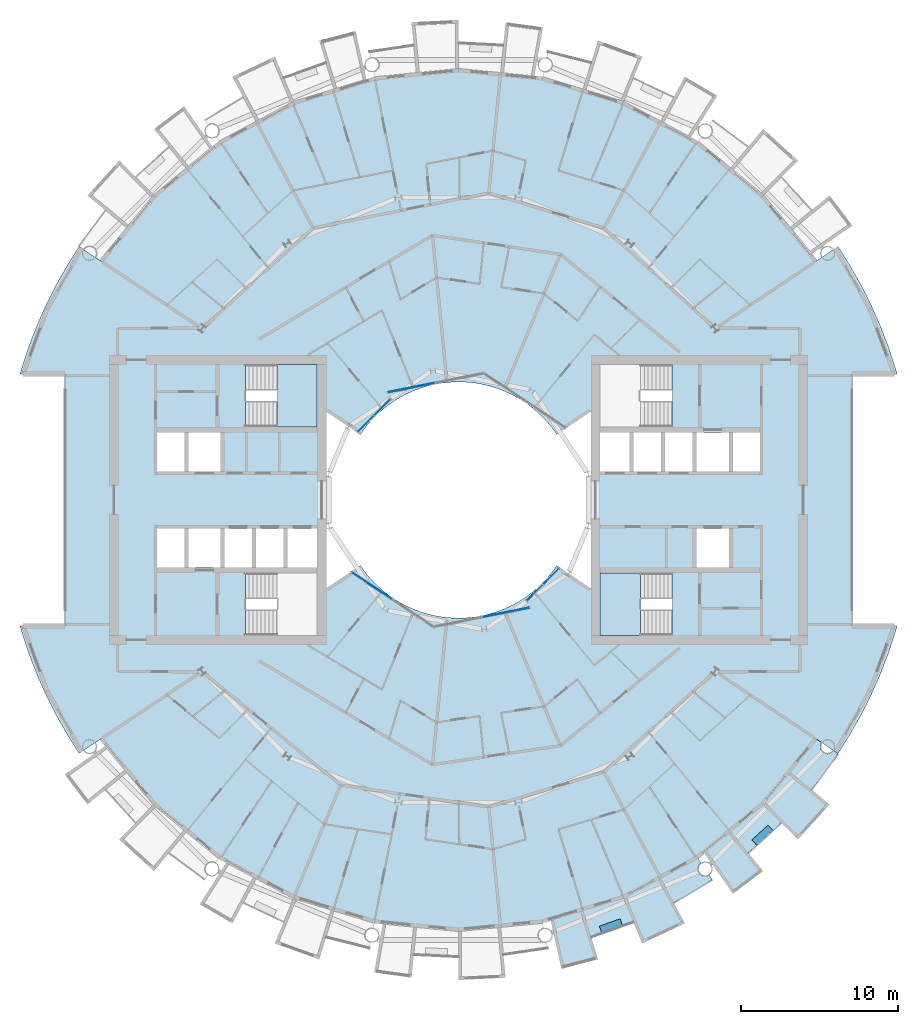
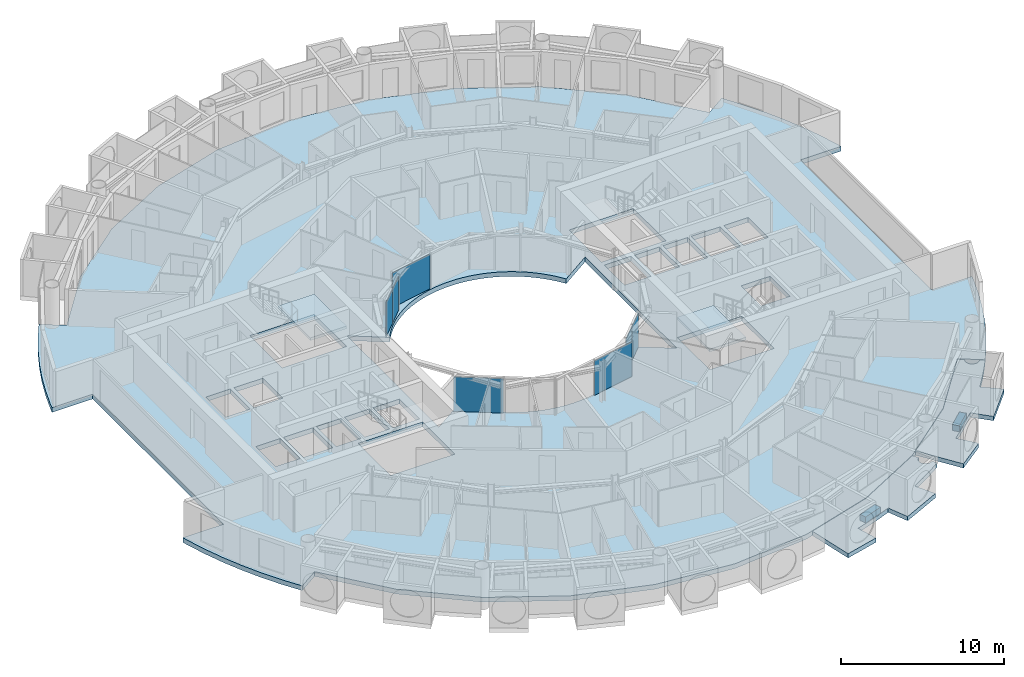
# One storey, part 11 of 28: 7 plates, 7 slabs, 7 elements without a shape of their own.
"""IFC4 building model written with IfcOpenShell, lengths in metres."""

import ifcopenshell
import ifcopenshell.guid

model = None  # the IFC model being written
_history = None  # IfcOwnerHistory: only IFC2X3 demands one
_inside = {}  # id of a spatial element -> (the spatial element, [elements in it])
_under = {}  # id of a project, library or spatial element -> (it, [spatial elements below it])
_declared = {}  # id of a project -> (the project, [libraries it declares])
_typed = {}  # id of a type object -> (the type object, [elements of that type])
_made_of = {}  # id of a material, layer set ... -> (it, [elements and type objects made of it])


def new_model(schema):
    """Start an empty IFC model of exactly this schema.

    Asked for "IFC4X3", IfcOpenShell would pick the latest addendum, in which some entities
    have other attributes; the version numbers below select the first issue.
    IFC2X3 requires an IfcOwnerHistory on every rooted entity: one is made here for all.
    """
    global model, _history
    if schema == "IFC4X3":
        model = ifcopenshell.file(schema_version=(4, 3, 0, 0))
    else:
        model = ifcopenshell.file(schema=schema)
    _inside.clear()
    _under.clear()
    _declared.clear()
    _typed.clear()
    _made_of.clear()
    _history = None
    if model.schema == "IFC2X3":
        org = make("IfcOrganization", Name="unknown")
        user = make(
            "IfcPersonAndOrganization",
            ThePerson=make("IfcPerson", FamilyName="unknown"),
            TheOrganization=org,
        )
        app = make(
            "IfcApplication",
            ApplicationDeveloper=org,
            Version="unknown",
            ApplicationFullName="unknown",
            ApplicationIdentifier="unknown",
        )
        _history = make(
            "IfcOwnerHistory",
            OwningUser=user,
            OwningApplication=app,
            ChangeAction="ADDED",
            CreationDate=0,
        )
    return model


def make(cls, **values):
    """One entity of the class cls with the attributes given. An attribute that is None is left unset."""
    return model.create_entity(
        cls, **{name: value for name, value in values.items() if value is not None}
    )


def rooted(cls, **values):
    """An entity with a GlobalId (a new one), such as an element, a storey or a relation."""
    return make(cls, GlobalId=ifcopenshell.guid.new(), OwnerHistory=_history, **values)


def si_unit(unit_type, name, prefix=None):
    """IfcSIUnit, for example si_unit("LENGTHUNIT", "METRE", prefix="MILLI")."""
    return make("IfcSIUnit", UnitType=unit_type, Prefix=prefix, Name=name)


def assignment(units):
    """IfcUnitAssignment: the units of a project."""
    return None if units is None else make("IfcUnitAssignment", Units=units)


def point(xyz):
    """IfcCartesianPoint."""
    return None if xyz is None else make("IfcCartesianPoint", Coordinates=xyz)


def direction(xyz):
    """IfcDirection."""
    return None if xyz is None else make("IfcDirection", DirectionRatios=xyz)


def frame(location, z_axis=None, x_axis=None):
    """IfcAxis2Placement3D, a coordinate frame: its origin and axes. An axis left out is left unset."""
    return make(
        "IfcAxis2Placement3D",
        Location=point(location),
        Axis=direction(z_axis),
        RefDirection=direction(x_axis),
    )


def frame_2d(location, x_axis=None):
    """IfcAxis2Placement2D, a coordinate frame in the plane: its origin and x axis."""
    return make(
        "IfcAxis2Placement2D", Location=point(location), RefDirection=direction(x_axis)
    )


def origin():
    """The frame at (0, 0, 0) with its axes left unset."""
    return frame((0.0, 0.0, 0.0))


def origin_2d():
    """The frame at (0, 0) in the plane with its x axis left unset."""
    return frame_2d((0.0, 0.0))


def place(relative_to, where):
    """IfcLocalPlacement: puts the frame where relative to a parent placement (None: the world)."""
    return make(
        "IfcLocalPlacement", PlacementRelTo=relative_to, RelativePlacement=where
    )


def context(
    kind, dimensions, precision=None, world=None, true_north=None, identifier=None
):
    """IfcGeometricRepresentationContext, for example the 3D "Model" context."""
    return make(
        "IfcGeometricRepresentationContext",
        ContextIdentifier=identifier,
        ContextType=kind,
        CoordinateSpaceDimension=dimensions,
        Precision=precision,
        WorldCoordinateSystem=world,
        TrueNorth=true_north,
    )


def subcontext(parent, identifier, kind, view, scale=None):
    """IfcGeometricRepresentationSubContext, for example "Body" below "Model"."""
    return make(
        "IfcGeometricRepresentationSubContext",
        ContextIdentifier=identifier,
        ContextType=kind,
        ParentContext=parent,
        TargetScale=scale,
        TargetView=view,
    )


def project(units=None, contexts=None):
    """IfcProject with its units and contexts."""
    return rooted(
        "IfcProject",
        Name="project",
        RepresentationContexts=contexts,
        UnitsInContext=assignment(units),
    )


def spatial(cls, under=None, at=None, **own):
    """A site, building, storey or space (cls), placed at a placement, below another one or the project."""
    s = rooted(cls, ObjectPlacement=at, **own)
    if under is not None:
        _under.setdefault(under.id(), (under, []))[1].append(s)
    return s


def polyline(points):
    """IfcPolyline through the points."""
    return make("IfcPolyline", Points=[point(p) for p in points])


def profile(cls, at=None, kind="AREA", **sizes):
    """A parametric profile (cls). Its sizes go by their IFC names, for example OverallWidth=200.0."""
    return make(cls, ProfileType=kind, Position=at, **sizes)


def rectangle(**sizes):
    """IfcRectangleProfileDef."""
    return profile("IfcRectangleProfileDef", **sizes)


def outline(outer, holes=None, kind="AREA"):
    """IfcArbitraryClosedProfileDef: a profile drawn as a closed curve; with holes, ...WithVoids."""
    if holes is None:
        return make("IfcArbitraryClosedProfileDef", ProfileType=kind, OuterCurve=outer)
    return make(
        "IfcArbitraryProfileDefWithVoids",
        ProfileType=kind,
        OuterCurve=outer,
        InnerCurves=holes,
    )


def extrude(swept, where, along, depth):
    """IfcExtrudedAreaSolid: the profile swept, set in the frame where, extruded along a direction by depth."""
    return make(
        "IfcExtrudedAreaSolid",
        SweptArea=swept,
        Position=where,
        ExtrudedDirection=direction(along),
        Depth=depth,
    )


def shape(context_of_items, identifier, shape_type, items):
    """IfcShapeRepresentation: the items that make up one representation, for example the "Body"."""
    return make(
        "IfcShapeRepresentation",
        ContextOfItems=context_of_items,
        RepresentationIdentifier=identifier,
        RepresentationType=shape_type,
        Items=items,
    )


def material(Name=None, Category=None):
    """IfcMaterial."""
    return make("IfcMaterial", Name=Name, Category=Category)


def layer(
    of_material, thickness, ventilated=None, Name=None, Category=None, Priority=None
):
    """IfcMaterialLayer: one layer of a wall or slab, of a material (None: an air gap)."""
    return make(
        "IfcMaterialLayer",
        Material=of_material,
        LayerThickness=thickness,
        IsVentilated=ventilated,
        Name=Name,
        Category=Category,
        Priority=Priority,
    )


def layer_set(layers, Name=None):
    """IfcMaterialLayerSet."""
    return make("IfcMaterialLayerSet", MaterialLayers=layers, LayerSetName=Name)


def made_of(thing, what):
    """Note that an element or type object is made of a material, layer set ...; save() writes the relation."""
    if what is not None:
        _made_of.setdefault(what.id(), (what, []))[1].append(thing)
    return thing


def type_object(cls, material=None, **own):
    """A type object (cls), such as IfcWallType, which elements share."""
    return made_of(rooted(cls, **own), material)


def element(
    cls,
    number,
    at=None,
    inside=None,
    cuts=None,
    type_object=None,
    material=None,
    context=None,
    identifier="Body",
    shape_type=None,
    held_by="IfcProductDefinitionShape",
    body=None,
    shapes=None,
    **own,
):
    """One element of the class cls, such as IfcWall. Its Tag is "e" and its number.

    at: its placement. inside: the storey or other place that contains it. cuts: it is an
    opening in that element (IfcRelVoidsElement). A single representation is given by context,
    identifier, shape_type and body (its items); several are given by shapes. held_by: the class
    of the entity that holds the representations. save() writes the other relations.
    """
    e = rooted(cls, Tag="e%d" % number, ObjectPlacement=at, **own)
    if body is not None:
        shapes = [shape(context, identifier, shape_type, body)]
    if shapes is not None:
        e.Representation = make(held_by, Representations=shapes)
    if inside is not None:
        _inside.setdefault(inside.id(), (inside, []))[1].append(e)
    if cuts is not None:
        rooted(
            "IfcRelVoidsElement", RelatingBuildingElement=cuts, RelatedOpeningElement=e
        )
    if type_object is not None:
        _typed.setdefault(type_object.id(), (type_object, []))[1].append(e)
    return made_of(e, material)


def aggregate(whole, parts):
    """IfcRelAggregates: a whole, such as a stair, and the parts it consists of."""
    return rooted("IfcRelAggregates", RelatingObject=whole, RelatedObjects=parts)


def save(model, path):
    """Write the relations noted so far, then the file.

    IfcRelAggregates (storeys below a building ...), IfcRelContainedInSpatialStructure (elements
    in a storey), IfcRelDefinesByType, IfcRelAssociatesMaterial and IfcRelDeclares: one each for
    every whole, place, type object, material and project.
    """
    for whole, parts in _under.values():
        aggregate(whole, parts)
    for where, things in _inside.values():
        rooted(
            "IfcRelContainedInSpatialStructure",
            RelatedElements=things,
            RelatingStructure=where,
        )
    for kind, things in _typed.values():
        rooted("IfcRelDefinesByType", RelatedObjects=things, RelatingType=kind)
    for what, things in _made_of.values():
        rooted("IfcRelAssociatesMaterial", RelatedObjects=things, RelatingMaterial=what)
    for by, libraries in _declared.values():
        rooted("IfcRelDeclares", RelatingContext=by, RelatedDefinitions=libraries)
    model.write(path)


model = new_model("IFC4")

# Units and contexts
model_context = context("Model", 3, precision=1e-05, world=origin(), true_north=direction((0.0, 1.0)))
body_context = subcontext(model_context, "Body", "Model", "MODEL_VIEW")
ifc_project = project(units=[si_unit("LENGTHUNIT", "METRE"), si_unit("AREAUNIT", "SQUARE_METRE"), si_unit("VOLUMEUNIT", "CUBIC_METRE"), si_unit("PLANEANGLEUNIT", "RADIAN"), si_unit("MASSUNIT", "GRAM", prefix="KILO")], contexts=[model_context])

# Site, building, storey
site_placement = place(None, origin())
site = spatial("IfcSite", under=ifc_project, at=site_placement, CompositionType="ELEMENT")
building_placement = place(site_placement, origin())
building = spatial("IfcBuilding", under=site, at=building_placement, Name="Maasbend Ring Residences", CompositionType="ELEMENT")
storey_placement = place(building_placement, frame((0.0, 0.0, 133.0)))
storey = spatial("IfcBuildingStorey", under=building, at=storey_placement, Name="L38", CompositionType="ELEMENT", Elevation=133.0)

# Stair, slab
ifc_material_1 = material(Name="Concrete C40/50", Category="concrete")
stair_type = type_object("IfcStairType", Name="CORE STAIR 18 RISERS", PredefinedType="HALF_TURN_STAIR", material=ifc_material_1)
stair_1_placement = place(storey_placement, origin())
stair_1 = element("IfcStair", 1, at=stair_1_placement, inside=storey, type_object=stair_type, Name="L38 Exit stair ST-E2", PredefinedType="HALF_TURN_STAIR")
ifc_material_2 = material(Name="Concrete C40/50", Category="concrete")
ifc_layer_1 = layer(ifc_material_2, 0.199951171875)
ifc_layer_set_1 = layer_set([ifc_layer_1], Name="Concrete C40/50")
slab_type_1 = type_object("IfcSlabType", Name="CORE STAIR LANDING 200", PredefinedType="LANDING", material=ifc_layer_set_1)
slab_1_placement = place(storey_placement, frame((0.0, 0.0, 1.324951171875)))
slab_1 = element("IfcSlab", 2, at=slab_1_placement, type_object=slab_type_1, Name="ST-E2 landing 1", PredefinedType="LANDING", context=body_context, shape_type="SweptSolid", body=[
    extrude(outline(polyline([(11.550048828125, -4.64990234375), (9.0, -4.64990234375), (9.0, -8.60009765625), (11.550048828125, -8.60009765625), (11.550048828125, -4.64990234375)])), origin(), (0.0, 0.0, 1.0), 0.199951171875),
])
aggregate(stair_1, [slab_1])

stair_2_placement = place(storey_placement, origin())
stair_2 = element("IfcStair", 3, at=stair_2_placement, inside=storey, type_object=stair_type, Name="L38 Exit stair ST-W2", PredefinedType="HALF_TURN_STAIR")
slab_2_placement = place(storey_placement, frame((0.0, 0.0, 1.324951171875)))
slab_2 = element("IfcSlab", 4, at=slab_2_placement, type_object=slab_type_1, Name="ST-W2 landing 1", PredefinedType="LANDING", context=body_context, shape_type="SweptSolid", body=[
    extrude(outline(polyline([(-11.550048828125, 4.64990234375), (-9.0, 4.64990234375), (-9.0, 8.60009765625), (-11.550048828125, 8.60009765625), (-11.550048828125, 4.64990234375)])), origin(), (0.0, 0.0, 1.0), 0.199951171875),
])
aggregate(stair_2, [slab_2])

# Curtain wall, plate
ifc_material_3 = material(Name="Aluminium and clear glass", Category="aluminium")
ifc_layer_2 = layer(ifc_material_3, 0.179931640625)
ifc_layer_set_2 = layer_set([ifc_layer_2], Name="CW-W")
curtain_wall_type = type_object("IfcCurtainWallType", Name="CW-W", PredefinedType="NOTDEFINED", material=ifc_layer_set_2)
curtain_wall_1_placement = place(storey_placement, origin())
curtain_wall_1 = element("IfcCurtainWall", 5, at=curtain_wall_1_placement, inside=storey, type_object=curtain_wall_type, Name="Well curtain wall N2", PredefinedType="NOTDEFINED")
ifc_material_4 = material(Name="Glass clear laminated", Category="glass")
ifc_layer_3 = layer(ifc_material_4, 0.031982421875)
ifc_layer_set_3 = layer_set([ifc_layer_3], Name="CWP-W")
plate_type = type_object("IfcPlateType", Name="CWP-W", PredefinedType="CURTAIN_PANEL", material=ifc_layer_set_3)
plate_1_placement = place(storey_placement, frame((-3.0078125, 7.140380859375, 0.0), z_axis=(0.0, 0.0, 1.0), x_axis=(-0.980785280403, -0.195090322016, 0.0)))
plate_1 = element("IfcPlate", 6, at=plate_1_placement, type_object=plate_type, Name="Glass panel well face", PredefinedType="CURTAIN_PANEL", context=body_context, shape_type="SweptSolid", body=[
    extrude(rectangle(XDim=3.053955078125, YDim=0.031982421875, at=origin_2d()), origin(), (0.0, 0.0, 1.0), 2.580078125),
])
aggregate(curtain_wall_1, [plate_1])

# Curtain wall, plates
curtain_wall_2_placement = place(storey_placement, origin())
curtain_wall_2 = element("IfcCurtainWall", 7, at=curtain_wall_2_placement, inside=storey, type_object=curtain_wall_type, Name="Well curtain wall N3", PredefinedType="NOTDEFINED")
plate_2_placement = place(storey_placement, frame((-4.84375, 5.89013671875, 0.0), z_axis=(0.0, 0.0, 1.0), x_axis=(-0.707106781187, -0.707106781187, 0.0)))
plate_2 = element("IfcPlate", 8, at=plate_2_placement, type_object=plate_type, Name="Glass panel well face", PredefinedType="CURTAIN_PANEL", context=body_context, shape_type="SweptSolid", body=[
    extrude(rectangle(XDim=1.419677734375, YDim=0.031982421875, at=origin_2d()), origin(), (0.0, 0.0, 1.0), 2.580078125),
])
plate_3_placement = place(storey_placement, frame((-5.89013671875, 4.84375, 0.0), z_axis=(0.0, 0.0, 1.0), x_axis=(-0.707106781187, -0.707106781187, 0.0)))
plate_3 = element("IfcPlate", 9, at=plate_3_placement, type_object=plate_type, Name="Glass panel well face", PredefinedType="CURTAIN_PANEL", context=body_context, shape_type="SweptSolid", body=[
    extrude(rectangle(XDim=1.419677734375, YDim=0.031982421875, at=origin_2d()), origin(), (0.0, 0.0, 1.0), 2.580078125),
])
aggregate(curtain_wall_2, [plate_2, plate_3])

# Curtain wall, plate
curtain_wall_3_placement = place(storey_placement, origin())
curtain_wall_3 = element("IfcCurtainWall", 10, at=curtain_wall_3_placement, inside=storey, type_object=curtain_wall_type, Name="Well curtain wall S1", PredefinedType="NOTDEFINED")
plate_4_placement = place(storey_placement, frame((-5.51123046875, -5.44580078125, 0.0), z_axis=(0.0, 0.0, 1.0), x_axis=(0.831469612303, -0.55557023302, 0.0)))
plate_4 = element("IfcPlate", 11, at=plate_4_placement, type_object=plate_type, Name="Glass panel well face", PredefinedType="CURTAIN_PANEL", context=body_context, shape_type="SweptSolid", body=[
    extrude(rectangle(XDim=3.053955078125, YDim=0.031982421875, at=origin_2d()), origin(), (0.0, 0.0, 1.0), 2.580078125),
])
aggregate(curtain_wall_3, [plate_4])

curtain_wall_4_placement = place(storey_placement, origin())
curtain_wall_4 = element("IfcCurtainWall", 12, at=curtain_wall_4_placement, inside=storey, type_object=curtain_wall_type, Name="Well curtain wall S2", PredefinedType="NOTDEFINED")
plate_5_placement = place(storey_placement, frame((3.0078125, -7.140380859375, 0.0), z_axis=(0.0, 0.0, 1.0), x_axis=(0.980785280403, 0.195090322016, 0.0)))
plate_5 = element("IfcPlate", 13, at=plate_5_placement, type_object=plate_type, Name="Glass panel well face", PredefinedType="CURTAIN_PANEL", context=body_context, shape_type="SweptSolid", body=[
    extrude(rectangle(XDim=3.053955078125, YDim=0.031982421875, at=origin_2d()), origin(), (0.0, 0.0, 1.0), 2.580078125),
])
aggregate(curtain_wall_4, [plate_5])

# Curtain wall, plates
curtain_wall_5_placement = place(storey_placement, origin())
curtain_wall_5 = element("IfcCurtainWall", 14, at=curtain_wall_5_placement, inside=storey, type_object=curtain_wall_type, Name="Well curtain wall S3", PredefinedType="NOTDEFINED")
plate_6_placement = place(storey_placement, frame((4.84375, -5.89013671875, 0.0), z_axis=(0.0, 0.0, 1.0), x_axis=(0.707106781187, 0.707106781187, 0.0)))
plate_6 = element("IfcPlate", 15, at=plate_6_placement, type_object=plate_type, Name="Glass panel well face", PredefinedType="CURTAIN_PANEL", context=body_context, shape_type="SweptSolid", body=[
    extrude(rectangle(XDim=1.419677734375, YDim=0.031982421875, at=origin_2d()), origin(), (0.0, 0.0, 1.0), 2.580078125),
])
plate_7_placement = place(storey_placement, frame((5.89013671875, -4.84375, 0.0), z_axis=(0.0, 0.0, 1.0), x_axis=(0.707106781187, 0.707106781187, 0.0)))
plate_7 = element("IfcPlate", 16, at=plate_7_placement, type_object=plate_type, Name="Glass panel well face", PredefinedType="CURTAIN_PANEL", context=body_context, shape_type="SweptSolid", body=[
    extrude(rectangle(XDim=1.419677734375, YDim=0.031982421875, at=origin_2d()), origin(), (0.0, 0.0, 1.0), 2.580078125),
])
aggregate(curtain_wall_5, [plate_6, plate_7])

# Slabs
ifc_material_5 = material(Name="Planting with climbing greenery")
ifc_layer_4 = layer(ifc_material_5, 0.449951171875)
ifc_layer_set_4 = layer_set([ifc_layer_4], Name="PLANTER-LG")
slab_type_2 = type_object("IfcSlabType", Name="PLANTER-LG", PredefinedType="USERDEFINED", material=ifc_layer_set_4)
slab_3_placement = place(storey_placement, frame((0.0, 0.0, -0.030029296875)))
element("IfcSlab", 17, at=slab_3_placement, inside=storey, type_object=slab_type_2, Name="Planter with climbing greenery 4", ObjectType="PLANTER", PredefinedType="USERDEFINED", context=body_context, shape_type="SweptSolid", body=[
    extrude(outline(polyline([(9.09912109375, -27.508056640625), (10.4169921875, -27.035888671875), (10.26611328125, -26.612060546875), (8.947021484375, -27.083984375), (9.09912109375, -27.508056640625)])), origin(), (0.0, 0.0, 1.0), 0.449951171875),
])
slab_4_placement = place(storey_placement, frame((0.0, 0.0, -0.030029296875)))
element("IfcSlab", 18, at=slab_4_placement, inside=storey, type_object=slab_type_2, Name="Planter with climbing greenery 5", ObjectType="PLANTER", PredefinedType="USERDEFINED", context=body_context, shape_type="SweptSolid", body=[
    extrude(outline(polyline([(18.93310546875, -21.931884765625), (19.969970703125, -20.991943359375), (19.66796875, -20.657958984375), (18.631103515625, -21.597900390625), (18.93310546875, -21.931884765625)])), origin(), (0.0, 0.0, 1.0), 0.449951171875),
])
ifc_material_6 = material(Name="Concrete C40/50", Category="concrete")
ifc_layer_5 = layer(ifc_material_6, 0.35009765625)
ifc_layer_set_5 = layer_set([ifc_layer_5], Name="Concrete C40/50")
slab_type_3 = type_object("IfcSlabType", Name="Post-tensioned flat plate 350", PredefinedType="FLOOR", material=ifc_layer_set_5)
slab_5_placement = place(storey_placement, frame((0.0, 0.0, -0.35009765625)))
element("IfcSlab", 19, at=slab_5_placement, inside=storey, type_object=slab_type_3, Name="Floor slab L38", PredefinedType="FLOOR", context=body_context, shape_type="SweptSolid", body=[
    extrude(outline(polyline([(24.8740234375, -14.908935546875), (25.57568359375, -13.67041015625), (26.2158203125, -12.399169921875), (26.79248046875, -11.097900390625), (27.3046875, -9.769775390625), (27.751220703125, -8.418212890625), (27.866943359375, -8.0), (25.0, -8.0), (25.0, 8.0), (27.866943359375, 8.0), (27.751220703125, 8.418212890625), (27.3046875, 9.769775390625), (26.79248046875, 11.097900390625), (26.2158203125, 12.399169921875), (25.57568359375, 13.67041015625), (24.8740234375, 14.908935546875), (24.112548828125, 16.111572265625), (22.69921875, 15.1669921875), (19.303955078125, 19.303955078125), (15.1669921875, 22.69921875), (10.447265625, 25.221923828125), (5.325927734375, 26.775390625), (0.0, 27.300048828125), (-5.325927734375, 26.775390625), (-10.447265625, 25.221923828125), (-15.1669921875, 22.69921875), (-19.303955078125, 19.303955078125), (-22.69921875, 15.1669921875), (-24.112548828125, 16.111572265625), (-24.8740234375, 14.908935546875), (-25.57568359375, 13.67041015625), (-26.2158203125, 12.399169921875), (-26.79248046875, 11.097900390625), (-27.3046875, 9.769775390625), (-27.751220703125, 8.418212890625), (-27.866943359375, 8.0), (-25.0, 8.0), (-25.0, -8.0), (-27.866943359375, -8.0), (-27.751220703125, -8.418212890625), (-27.3046875, -9.769775390625), (-26.79248046875, -11.097900390625), (-26.2158203125, -12.399169921875), (-25.57568359375, -13.67041015625), (-24.8740234375, -14.908935546875), (-24.112548828125, -16.111572265625), (-22.69921875, -15.1669921875), (-19.303955078125, -19.303955078125), (-15.1669921875, -22.69921875), (-10.447265625, -25.221923828125), (-5.325927734375, -26.775390625), (0.0, -27.300048828125), (5.325927734375, -26.775390625), (10.447265625, -25.221923828125), (15.1669921875, -22.69921875), (19.303955078125, -19.303955078125), (22.69921875, -15.1669921875), (24.112548828125, -16.111572265625), (24.8740234375, -14.908935546875)]), holes=[polyline([(17.425048828125, 4.27490234375), (19.14990234375, 4.27490234375), (19.14990234375, 1.824951171875), (17.425048828125, 1.824951171875), (17.425048828125, 4.27490234375)]), polyline([(15.125, 1.824951171875), (15.125, 4.27490234375), (17.175048828125, 4.27490234375), (17.175048828125, 1.824951171875), (15.125, 1.824951171875)]), polyline([(15.125, -4.27490234375), (15.125, -1.824951171875), (17.175048828125, -1.824951171875), (17.175048828125, -4.27490234375), (15.125, -4.27490234375)]), polyline([(13.125, 1.824951171875), (13.125, 4.27490234375), (14.875, 4.27490234375), (14.875, 1.824951171875), (13.125, 1.824951171875)]), polyline([(13.550048828125, 4.64990234375), (9.0, 4.64990234375), (9.0, 8.60009765625), (13.550048828125, 8.60009765625), (13.550048828125, 4.64990234375)]), polyline([(13.550048828125, -4.64990234375), (13.550048828125, -8.60009765625), (9.0, -8.60009765625), (9.0, -4.64990234375), (13.550048828125, -4.64990234375)]), polyline([(11.125, 1.824951171875), (11.125, 4.27490234375), (12.875, 4.27490234375), (12.875, 1.824951171875), (11.125, 1.824951171875)]), polyline([(9.0, 1.824951171875), (9.0, 4.27490234375), (10.875, 4.27490234375), (10.875, 1.824951171875), (9.0, 1.824951171875)]), polyline([(6.024169921875, 4.4677734375), (6.236083984375, 4.166748046875), (8.39990234375, 5.61279296875), (8.39990234375, -5.61279296875), (6.236083984375, -4.166748046875), (6.024169921875, -4.4677734375), (5.797607421875, -4.7578125), (5.55712890625, -5.03662109375), (5.30322265625, -5.30322265625), (5.03662109375, -5.55712890625), (4.7578125, -5.797607421875), (4.4677734375, -6.024169921875), (4.166748046875, -6.236083984375), (3.855712890625, -6.43310546875), (3.535400390625, -6.614501953125), (3.206787109375, -6.77978515625), (2.8701171875, -6.92919921875), (2.526611328125, -7.0615234375), (2.177001953125, -7.177001953125), (1.822509765625, -7.275146484375), (1.463134765625, -7.35595703125), (1.1005859375, -7.418701171875), (0.735107421875, -7.4638671875), (0.367919921875, -7.490966796875), (0.0, -7.5), (-0.367919921875, -7.490966796875), (-0.735107421875, -7.4638671875), (-1.1005859375, -7.418701171875), (-1.463134765625, -7.35595703125), (-1.822509765625, -7.275146484375), (-2.177001953125, -7.177001953125), (-2.526611328125, -7.0615234375), (-2.8701171875, -6.92919921875), (-3.206787109375, -6.77978515625), (-3.535400390625, -6.614501953125), (-3.855712890625, -6.43310546875), (-4.166748046875, -6.236083984375), (-4.4677734375, -6.024169921875), (-4.7578125, -5.797607421875), (-5.03662109375, -5.55712890625), (-5.30322265625, -5.30322265625), (-5.55712890625, -5.03662109375), (-5.797607421875, -4.7578125), (-6.024169921875, -4.4677734375), (-6.236083984375, -4.166748046875), (-8.39990234375, -5.61279296875), (-8.39990234375, 5.61279296875), (-6.236083984375, 4.166748046875), (-6.236083984375, 4.166748046875), (-6.024169921875, 4.4677734375), (-5.797607421875, 4.7578125), (-5.55712890625, 5.03662109375), (-5.30322265625, 5.30322265625), (-5.03662109375, 5.55712890625), (-4.7578125, 5.797607421875), (-4.4677734375, 6.024169921875), (-4.166748046875, 6.236083984375), (-3.855712890625, 6.43310546875), (-3.535400390625, 6.614501953125), (-3.206787109375, 6.77978515625), (-2.8701171875, 6.92919921875), (-2.526611328125, 7.0615234375), (-2.177001953125, 7.177001953125), (-1.822509765625, 7.275146484375), (-1.463134765625, 7.35595703125), (-1.1005859375, 7.418701171875), (-0.735107421875, 7.4638671875), (-0.367919921875, 7.490966796875), (0.0, 7.5), (0.367919921875, 7.490966796875), (0.735107421875, 7.4638671875), (1.1005859375, 7.418701171875), (1.463134765625, 7.35595703125), (1.822509765625, 7.275146484375), (2.177001953125, 7.177001953125), (2.526611328125, 7.0615234375), (2.8701171875, 6.92919921875), (3.206787109375, 6.77978515625), (3.535400390625, 6.614501953125), (3.855712890625, 6.43310546875), (4.166748046875, 6.236083984375), (4.4677734375, 6.024169921875), (4.7578125, 5.797607421875), (5.03662109375, 5.55712890625), (5.30322265625, 5.30322265625), (5.55712890625, 5.03662109375), (5.797607421875, 4.7578125), (6.024169921875, 4.4677734375)]), polyline([(-13.550048828125, 4.64990234375), (-13.550048828125, 8.60009765625), (-9.0, 8.60009765625), (-9.0, 4.64990234375), (-13.550048828125, 4.64990234375)]), polyline([(-13.550048828125, -8.60009765625), (-13.550048828125, -4.64990234375), (-9.0, -4.64990234375), (-9.0, -8.60009765625), (-13.550048828125, -8.60009765625)]), polyline([(-9.0, -1.824951171875), (-9.0, -4.27490234375), (-10.875, -4.27490234375), (-10.875, -1.824951171875), (-9.0, -1.824951171875)]), polyline([(-11.125, -1.824951171875), (-11.125, -4.27490234375), (-12.875, -4.27490234375), (-12.875, -1.824951171875), (-11.125, -1.824951171875)]), polyline([(-13.125, -1.824951171875), (-13.125, -4.27490234375), (-14.875, -4.27490234375), (-14.875, -1.824951171875), (-13.125, -1.824951171875)]), polyline([(-15.125, 4.27490234375), (-15.125, 1.824951171875), (-17.175048828125, 1.824951171875), (-17.175048828125, 4.27490234375), (-15.125, 4.27490234375)]), polyline([(-15.125, -1.824951171875), (-15.125, -4.27490234375), (-17.175048828125, -4.27490234375), (-17.175048828125, -1.824951171875), (-15.125, -1.824951171875)]), polyline([(-17.425048828125, -1.824951171875), (-17.425048828125, -4.27490234375), (-19.14990234375, -4.27490234375), (-19.14990234375, -1.824951171875), (-17.425048828125, -1.824951171875)]), polyline([(-17.425048828125, 4.27490234375), (-17.425048828125, 1.824951171875), (-19.14990234375, 1.824951171875), (-19.14990234375, 4.27490234375), (-17.425048828125, 4.27490234375)])]), origin(), (0.0, 0.0, 1.0), 0.35009765625),
])
ifc_material_7 = material(Name="Concrete C40/50", Category="concrete")
ifc_layer_6 = layer(ifc_material_7, 0.199951171875)
ifc_layer_set_6 = layer_set([ifc_layer_6], Name="Concrete C40/50")
slab_type_4 = type_object("IfcSlabType", Name="SL-LOGGIA", PredefinedType="FLOOR", material=ifc_layer_set_6)
slab_6_placement = place(storey_placement, frame((0.0, 0.0, -0.35009765625)))
element("IfcSlab", 20, at=slab_6_placement, inside=storey, type_object=slab_type_4, Name="Loggia floor 1", PredefinedType="FLOOR", context=body_context, shape_type="SweptSolid", body=[
    extrude(outline(polyline([(10.447021484375, -25.221923828125), (12.806884765625, -23.9609375), (15.1669921875, -22.698974609375), (15.1669921875, -22.698974609375), (15.1669921875, -22.698974609375), (15.4130859375, -23.06689453125), (15.404052734375, -23.073974609375), (15.39501953125, -23.080078125), (15.385986328125, -23.0869140625), (15.376953125, -23.093994140625), (15.368896484375, -23.10107421875), (15.360107421875, -23.10888671875), (15.35205078125, -23.115966796875), (15.343994140625, -23.1240234375), (15.3359375, -23.132080078125), (15.327880859375, -23.139892578125), (15.321044921875, -23.14892578125), (15.31396484375, -23.156982421875), (15.306884765625, -23.166015625), (15.300048828125, -23.175048828125), (15.29296875, -23.18408203125), (15.287109375, -23.194091796875), (15.281005859375, -23.202880859375), (15.27490234375, -23.2119140625), (15.26904296875, -23.221923828125), (15.263916015625, -23.23193359375), (15.259033203125, -23.241943359375), (15.25390625, -23.251953125), (15.2490234375, -23.261962890625), (15.2451171875, -23.27294921875), (15.240966796875, -23.282958984375), (15.237060546875, -23.29296875), (15.23291015625, -23.303955078125), (15.22998046875, -23.31494140625), (15.22705078125, -23.325927734375), (15.22412109375, -23.3359375), (15.220947265625, -23.346923828125), (15.218994140625, -23.35791015625), (15.217041015625, -23.368896484375), (15.215087890625, -23.3798828125), (15.214111328125, -23.39111328125), (15.2119140625, -23.403076171875), (15.2109375, -23.4140625), (15.2109375, -23.425048828125), (15.2099609375, -23.43603515625), (15.2099609375, -23.447021484375), (15.2099609375, -23.458984375), (15.2109375, -23.469970703125), (15.2109375, -23.48095703125), (15.2119140625, -23.491943359375), (15.214111328125, -23.5029296875), (15.215087890625, -23.513916015625), (15.217041015625, -23.52587890625), (15.218994140625, -23.537109375), (15.220947265625, -23.548095703125), (15.22412109375, -23.55810546875), (15.22705078125, -23.569091796875), (15.22998046875, -23.580078125), (15.23291015625, -23.591064453125), (15.237060546875, -23.60107421875), (15.240966796875, -23.612060546875), (15.2451171875, -23.6220703125), (15.2490234375, -23.633056640625), (15.25390625, -23.64306640625), (15.259033203125, -23.653076171875), (15.263916015625, -23.6630859375), (15.26904296875, -23.673095703125), (15.27490234375, -23.681884765625), (15.281005859375, -23.69189453125), (15.287109375, -23.700927734375), (15.29296875, -23.7109375), (15.300048828125, -23.719970703125), (15.306884765625, -23.72900390625), (15.31396484375, -23.737060546875), (15.321044921875, -23.74609375), (15.327880859375, -23.75390625), (15.3359375, -23.762939453125), (15.343994140625, -23.77099609375), (15.35205078125, -23.778076171875), (15.360107421875, -23.785888671875), (15.368896484375, -23.79296875), (15.376953125, -23.801025390625), (15.385986328125, -23.80810546875), (15.39501953125, -23.81396484375), (15.404052734375, -23.821044921875), (15.4130859375, -23.826904296875), (15.423095703125, -23.8330078125), (15.431884765625, -23.839111328125), (15.44189453125, -23.844970703125), (15.451904296875, -23.85009765625), (15.4619140625, -23.85595703125), (15.471923828125, -23.861083984375), (15.48193359375, -23.864990234375), (15.491943359375, -23.8701171875), (15.5029296875, -23.8740234375), (15.512939453125, -23.8779296875), (15.52392578125, -23.881103515625), (15.533935546875, -23.885009765625), (15.544921875, -23.887939453125), (15.555908203125, -23.89111328125), (15.56689453125, -23.89306640625), (15.577880859375, -23.89599609375), (15.589111328125, -23.89794921875), (15.60009765625, -23.89892578125), (15.611083984375, -23.90087890625), (15.6220703125, -23.902099609375), (15.633056640625, -23.903076171875), (15.64501953125, -23.904052734375), (15.656005859375, -23.904052734375), (15.6669921875, -23.904052734375), (15.677978515625, -23.904052734375), (15.68994140625, -23.904052734375), (15.700927734375, -23.903076171875), (15.7119140625, -23.902099609375), (15.722900390625, -23.90087890625), (15.73388671875, -23.89892578125), (15.7451171875, -23.89794921875), (15.756103515625, -23.89599609375), (15.76708984375, -23.89306640625), (15.778076171875, -23.89111328125), (15.7890625, -23.887939453125), (15.800048828125, -23.885009765625), (15.81005859375, -23.881103515625), (15.821044921875, -23.8779296875), (15.83203125, -23.8740234375), (15.842041015625, -23.8701171875), (15.85205078125, -23.864990234375), (15.862060546875, -23.861083984375), (15.873046875, -23.85595703125), (15.883056640625, -23.85009765625), (15.89208984375, -23.844970703125), (15.902099609375, -23.839111328125), (15.912109375, -23.8330078125), (15.9208984375, -23.826904296875), (16.112060546875, -24.113037109375), (16.112060546875, -24.113037109375), (16.112060546875, -24.113037109375), (15.31396484375, -24.626953125), (15.31396484375, -24.626953125), (14.5, -25.114990234375), (14.5, -25.114990234375), (13.6708984375, -25.574951171875), (13.6708984375, -25.575927734375), (13.6708984375, -25.575927734375), (13.6708984375, -25.575927734375), (13.6708984375, -25.575927734375), (13.6708984375, -25.575927734375), (13.6708984375, -25.575927734375), (13.6708984375, -25.575927734375), (13.6708984375, -25.575927734375), (13.6708984375, -25.575927734375), (13.6708984375, -25.575927734375), (13.6708984375, -25.575927734375), (13.6708984375, -25.575927734375), (13.6708984375, -25.575927734375), (13.6708984375, -25.575927734375), (13.6708984375, -25.575927734375), (13.6708984375, -25.575927734375), (14.3779296875, -26.89892578125), (14.3779296875, -26.89892578125), (14.3779296875, -26.89892578125), (11.672119140625, -28.177978515625), (11.672119140625, -28.177978515625), (11.672119140625, -28.177978515625), (11.097900390625, -26.79296875), (11.097900390625, -26.79296875), (11.097900390625, -26.79296875), (11.097900390625, -26.79296875), (11.097900390625, -26.79296875), (11.097900390625, -26.79296875), (11.097900390625, -26.79296875), (11.097900390625, -26.79296875), (11.097900390625, -26.79296875), (11.097900390625, -26.79296875), (11.097900390625, -26.79296875), (11.097900390625, -26.79296875), (11.097900390625, -26.79296875), (11.097900390625, -26.79296875), (11.096923828125, -26.79296875), (11.096923828125, -26.79296875), (11.096923828125, -26.79296875), (10.215087890625, -27.14111328125), (10.215087890625, -27.14111328125), (9.322021484375, -27.4609375), (9.322021484375, -27.4609375), (8.4189453125, -27.7509765625), (8.4189453125, -27.7509765625), (8.4189453125, -27.7509765625), (8.4189453125, -27.7509765625), (8.4189453125, -27.7509765625), (8.4189453125, -27.7509765625), (8.41796875, -27.7509765625), (8.41796875, -27.7509765625), (8.41796875, -27.7509765625), (8.41796875, -27.7509765625), (8.41796875, -27.7509765625), (8.41796875, -27.751953125), (8.41796875, -27.751953125), (8.41796875, -27.751953125), (8.41796875, -27.751953125), (8.41796875, -27.751953125), (8.41796875, -27.751953125), (8.85400390625, -29.18701171875), (8.85400390625, -29.18701171875), (8.85400390625, -29.18701171875), (6.5400390625, -29.791015625), (6.5400390625, -29.791015625), (6.5400390625, -29.791015625), (5.843994140625, -26.617919921875), (5.843994140625, -26.617919921875), (5.843994140625, -26.617919921875), (7.886962890625, -25.9990234375), (10.447021484375, -25.221923828125), (10.447021484375, -25.221923828125), (10.447021484375, -25.221923828125)])), origin(), (0.0, 0.0, 1.0), 0.320068359375),
])
slab_7_placement = place(storey_placement, frame((0.0, 0.0, -0.35009765625)))
element("IfcSlab", 21, at=slab_7_placement, inside=storey, type_object=slab_type_4, Name="Loggia floor 4", PredefinedType="FLOOR", context=body_context, shape_type="SweptSolid", body=[
    extrude(outline(polyline([(19.303955078125, -19.303955078125), (21.001953125, -17.236083984375), (22.698974609375, -15.1669921875), (22.698974609375, -15.1669921875), (22.698974609375, -15.1669921875), (23.06689453125, -15.4130859375), (23.06689453125, -15.4130859375), (23.06103515625, -15.423095703125), (23.054931640625, -15.431884765625), (23.050048828125, -15.44189453125), (23.0439453125, -15.451904296875), (23.0390625, -15.4619140625), (23.033935546875, -15.471923828125), (23.030029296875, -15.48193359375), (23.02490234375, -15.491943359375), (23.02099609375, -15.5029296875), (23.01708984375, -15.512939453125), (23.012939453125, -15.52392578125), (23.010009765625, -15.533935546875), (23.007080078125, -15.544921875), (23.00390625, -15.555908203125), (23.001953125, -15.56689453125), (22.9990234375, -15.577880859375), (22.9970703125, -15.589111328125), (22.9951171875, -15.60009765625), (22.993896484375, -15.611083984375), (22.992919921875, -15.6220703125), (22.991943359375, -15.633056640625), (22.990966796875, -15.64501953125), (22.990966796875, -15.656005859375), (22.989990234375, -15.6669921875), (22.990966796875, -15.677978515625), (22.990966796875, -15.68994140625), (22.991943359375, -15.700927734375), (22.992919921875, -15.7119140625), (22.993896484375, -15.722900390625), (22.9951171875, -15.73388671875), (22.9970703125, -15.7451171875), (22.9990234375, -15.756103515625), (23.001953125, -15.76708984375), (23.00390625, -15.778076171875), (23.007080078125, -15.7890625), (23.010009765625, -15.800048828125), (23.012939453125, -15.81005859375), (23.01708984375, -15.821044921875), (23.02099609375, -15.83203125), (23.02490234375, -15.842041015625), (23.030029296875, -15.85205078125), (23.033935546875, -15.862060546875), (23.0390625, -15.873046875), (23.0439453125, -15.883056640625), (23.050048828125, -15.89208984375), (23.054931640625, -15.902099609375), (23.06103515625, -15.912109375), (23.06689453125, -15.9208984375), (23.073974609375, -15.929931640625), (23.080078125, -15.93896484375), (23.0869140625, -15.947998046875), (23.093994140625, -15.95703125), (23.10107421875, -15.966064453125), (23.10888671875, -15.97412109375), (23.115966796875, -15.98193359375), (23.1240234375, -15.989990234375), (23.132080078125, -15.998046875), (23.139892578125, -16.006103515625), (23.14892578125, -16.012939453125), (23.156982421875, -16.02001953125), (23.166015625, -16.027099609375), (23.175048828125, -16.033935546875), (23.18408203125, -16.041015625), (23.194091796875, -16.047119140625), (23.202880859375, -16.052978515625), (23.2119140625, -16.05908203125), (23.221923828125, -16.06494140625), (23.23193359375, -16.070068359375), (23.241943359375, -16.074951171875), (23.251953125, -16.080078125), (23.261962890625, -16.0849609375), (23.27294921875, -16.089111328125), (23.282958984375, -16.093017578125), (23.29296875, -16.096923828125), (23.303955078125, -16.10107421875), (23.31494140625, -16.10400390625), (23.325927734375, -16.10791015625), (23.3359375, -16.110107421875), (23.346923828125, -16.113037109375), (23.35791015625, -16.114990234375), (23.368896484375, -16.116943359375), (23.3798828125, -16.118896484375), (23.39111328125, -16.12109375), (23.403076171875, -16.1220703125), (23.4140625, -16.123046875), (23.425048828125, -16.1240234375), (23.43603515625, -16.1240234375), (23.447021484375, -16.1240234375), (23.458984375, -16.1240234375), (23.469970703125, -16.1240234375), (23.48095703125, -16.123046875), (23.491943359375, -16.1220703125), (23.5029296875, -16.12109375), (23.513916015625, -16.118896484375), (23.52587890625, -16.116943359375), (23.537109375, -16.114990234375), (23.548095703125, -16.113037109375), (23.55810546875, -16.110107421875), (23.569091796875, -16.10791015625), (23.580078125, -16.10400390625), (23.591064453125, -16.10107421875), (23.60107421875, -16.096923828125), (23.612060546875, -16.093017578125), (23.6220703125, -16.089111328125), (23.633056640625, -16.0849609375), (23.64306640625, -16.080078125), (23.653076171875, -16.074951171875), (23.6630859375, -16.070068359375), (23.673095703125, -16.06494140625), (23.681884765625, -16.05908203125), (23.69189453125, -16.052978515625), (23.700927734375, -16.047119140625), (23.7109375, -16.041015625), (23.719970703125, -16.033935546875), (23.72900390625, -16.027099609375), (23.737060546875, -16.02001953125), (23.74609375, -16.012939453125), (23.75390625, -16.006103515625), (23.762939453125, -15.998046875), (23.77099609375, -15.989990234375), (23.778076171875, -15.98193359375), (23.785888671875, -15.97412109375), (23.79296875, -15.966064453125), (23.801025390625, -15.95703125), (23.80810546875, -15.947998046875), (23.81396484375, -15.93896484375), (23.821044921875, -15.929931640625), (23.826904296875, -15.9208984375), (23.826904296875, -15.9208984375), (24.113037109375, -16.112060546875), (24.113037109375, -16.112060546875), (24.113037109375, -16.112060546875), (23.572998046875, -16.89208984375), (23.572998046875, -16.89208984375), (23.007080078125, -17.654052734375), (23.007080078125, -17.654052734375), (22.41796875, -18.39697265625), (22.41796875, -18.39697265625), (22.41796875, -18.39697265625), (22.41796875, -18.39697265625), (22.41796875, -18.39697265625), (22.41796875, -18.39697265625), (22.41796875, -18.39697265625), (22.41796875, -18.39697265625), (22.41796875, -18.39697265625), (22.41796875, -18.39697265625), (22.41796875, -18.39697265625), (22.41796875, -18.39794921875), (22.41796875, -18.39794921875), (22.41796875, -18.39794921875), (22.41796875, -18.39794921875), (22.41796875, -18.39794921875), (22.41796875, -18.39794921875), (23.576904296875, -19.34912109375), (23.576904296875, -19.34912109375), (23.576904296875, -19.34912109375), (21.56689453125, -21.56689453125), (21.56689453125, -21.56689453125), (21.56689453125, -21.56689453125), (20.506103515625, -20.506103515625), (20.506103515625, -20.506103515625), (20.506103515625, -20.506103515625), (20.506103515625, -20.506103515625), (20.506103515625, -20.506103515625), (20.506103515625, -20.506103515625), (20.506103515625, -20.506103515625), (20.506103515625, -20.506103515625), (20.506103515625, -20.506103515625), (20.506103515625, -20.506103515625), (20.506103515625, -20.506103515625), (20.506103515625, -20.506103515625), (20.506103515625, -20.506103515625), (20.506103515625, -20.506103515625), (20.506103515625, -20.506103515625), (20.506103515625, -20.506103515625), (20.506103515625, -20.506103515625), (19.823974609375, -21.166015625), (19.823974609375, -21.166015625), (19.12109375, -21.802978515625), (19.12109375, -21.802978515625), (18.39794921875, -22.4169921875), (18.39794921875, -22.4169921875), (18.39794921875, -22.4169921875), (18.39794921875, -22.4169921875), (18.39794921875, -22.4169921875), (18.39794921875, -22.4169921875), (18.39794921875, -22.4169921875), (18.39794921875, -22.4169921875), (18.39794921875, -22.4169921875), (18.39794921875, -22.4169921875), (18.39794921875, -22.4169921875), (18.39794921875, -22.4169921875), (18.39794921875, -22.41796875), (18.39794921875, -22.41796875), (18.39794921875, -22.41796875), (18.39794921875, -22.41796875), (18.39794921875, -22.41796875), (19.34912109375, -23.576904296875), (19.34912109375, -23.576904296875), (19.34912109375, -23.576904296875), (17.44189453125, -25.02001953125), (17.44189453125, -25.02001953125), (17.44189453125, -25.02001953125), (15.5849609375, -22.35595703125), (15.5849609375, -22.35595703125), (15.5849609375, -22.35595703125), (17.236083984375, -21.001953125), (19.303955078125, -19.303955078125), (19.303955078125, -19.303955078125), (19.303955078125, -19.303955078125)])), origin(), (0.0, 0.0, 1.0), 0.320068359375),
])

save(model, "model.ifc")
